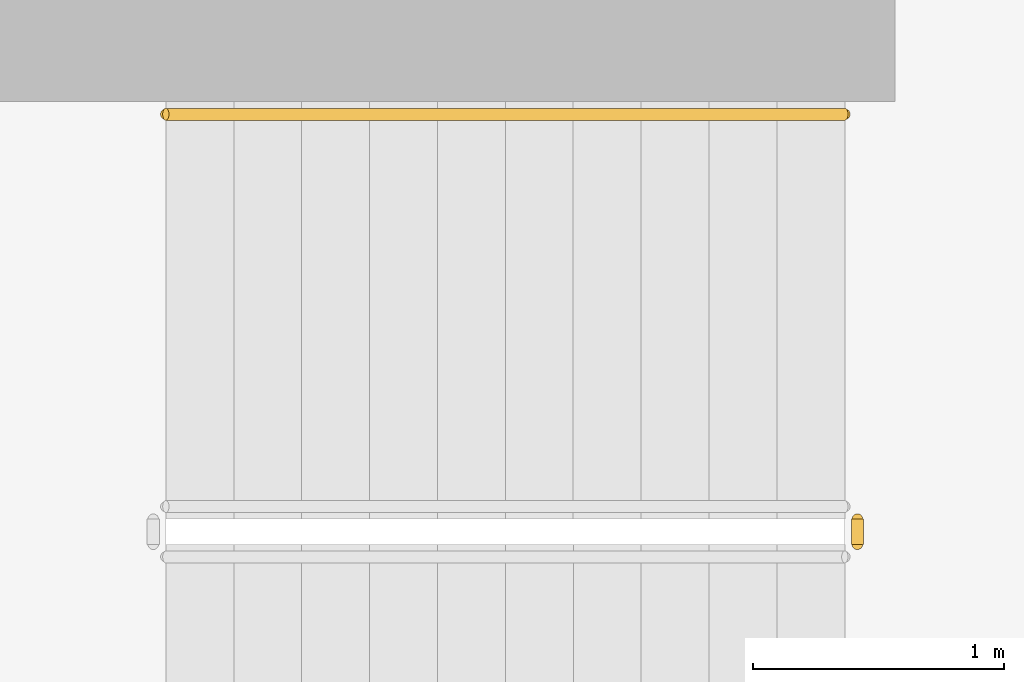
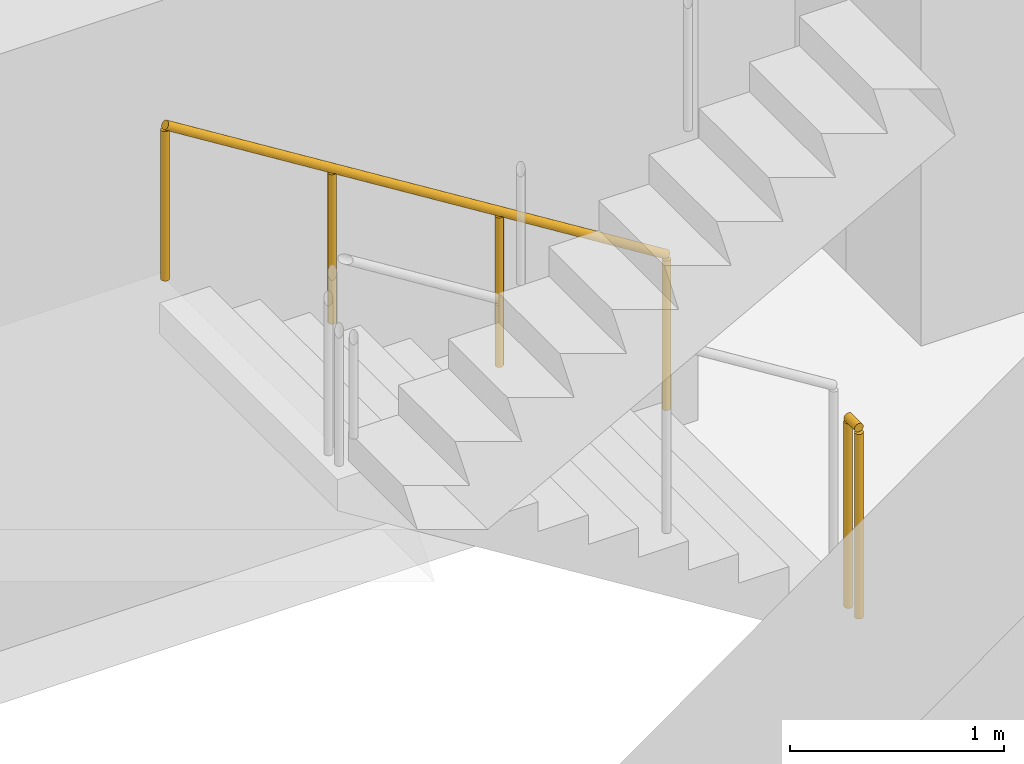
# One storey, part 15 of 16: 2 railings.
"""IFC4 building model written with IfcOpenShell, lengths in metres."""

from ifc_helpers import new_model, si_unit, direction, frame, origin, origin_2d, place, context, subcontext, project, spatial, circle, extrude, material, type_object, element, save


model = new_model("IFC4")

# Units and contexts
model_context = context("Model", 3, precision=1e-05, world=origin(), true_north=direction((0.0, 1.0)))
body_context = subcontext(model_context, "Body", "Model", "MODEL_VIEW")
ifc_project = project(units=[si_unit("LENGTHUNIT", "METRE"), si_unit("AREAUNIT", "SQUARE_METRE"), si_unit("VOLUMEUNIT", "CUBIC_METRE"), si_unit("PLANEANGLEUNIT", "RADIAN"), si_unit("MASSUNIT", "GRAM", prefix="KILO")], contexts=[model_context])

# Site, building, storey
site_placement = place(None, origin())
site = spatial("IfcSite", under=ifc_project, at=site_placement, CompositionType="ELEMENT")
building_placement = place(site_placement, origin())
building = spatial("IfcBuilding", under=site, at=building_placement, Name="Vermilion Reach Broadcast Tower", CompositionType="ELEMENT")
storey_placement = place(building_placement, frame((0.0, 0.0, 43.39990234375)))
storey = spatial("IfcBuildingStorey", under=building, at=storey_placement, Name="L07", CompositionType="ELEMENT", Elevation=43.39990234375)

# Railings
ifc_material_1 = material(Name="Stainless steel", Category="steel")
railing_type_1 = type_object("IfcRailingType", Name="Stair guard 1100", PredefinedType="GUARDRAIL", material=ifc_material_1)
railing_1_placement = place(storey_placement, frame((-0.949951171875, 5.639892578125, 0.0)))
element("IfcRailing", 1, at=railing_1_placement, inside=storey, type_object=railing_type_1, Name="L07 ST2 stair guard 4", PredefinedType="GUARDRAIL", context=body_context, shape_type="SweptSolid", body=[
    extrude(circle(Radius=0.02392578125, at=origin_2d()), frame((0.0, 0.0, 1.076171875), z_axis=(0.0, -1.0, 0.0), x_axis=(1.0, 0.0, 0.0)), (0.0, 0.0, 1.0), 0.099853515625),
    extrude(circle(Radius=0.02099609375, at=origin_2d()), origin(), (0.0, 0.0, 1.0), 1.052001953125),
    extrude(circle(Radius=0.02099609375, at=origin_2d()), frame((0.0, -0.099853515625, 0.0)), (0.0, 0.0, 1.0), 1.052001953125),
])
ifc_material_2 = material(Name="Stainless steel", Category="steel")
railing_type_2 = type_object("IfcRailingType", Name="Stair handrail", PredefinedType="HANDRAIL", material=ifc_material_2)
railing_2_placement = place(storey_placement, frame((-1.0, 7.25, 0.168212890625)))
element("IfcRailing", 2, at=railing_2_placement, inside=storey, type_object=railing_type_2, Name="L07 ST2 stair handrail 1", PredefinedType="HANDRAIL", context=body_context, shape_type="SweptSolid", body=[
    extrude(circle(Radius=0.02392578125, at=origin_2d()), frame((0.0, 0.0, 0.8759765625), z_axis=(-0.848786430784, 0.0, 0.528735846068), x_axis=(0.0, -1.0, 0.0)), (0.0, 0.0, 1.0), 3.180908203125),
    extrude(circle(Radius=0.02099609375, at=origin_2d()), origin(), (0.0, 0.0, 1.0), 0.851806640625),
    extrude(circle(Radius=0.02099609375, at=origin_2d()), frame((-0.89990234375, 0.0, 0.560546875)), (0.0, 0.0, 1.0), 0.851806640625),
    extrude(circle(Radius=0.02099609375, at=origin_2d()), frame((-1.800048828125, 0.0, 1.121337890625)), (0.0, 0.0, 1.0), 0.851806640625),
    extrude(circle(Radius=0.02099609375, at=origin_2d()), frame((-2.699951171875, 0.0, 1.681884765625)), (0.0, 0.0, 1.0), 0.851806640625),
])

save(model, "model.ifc")
